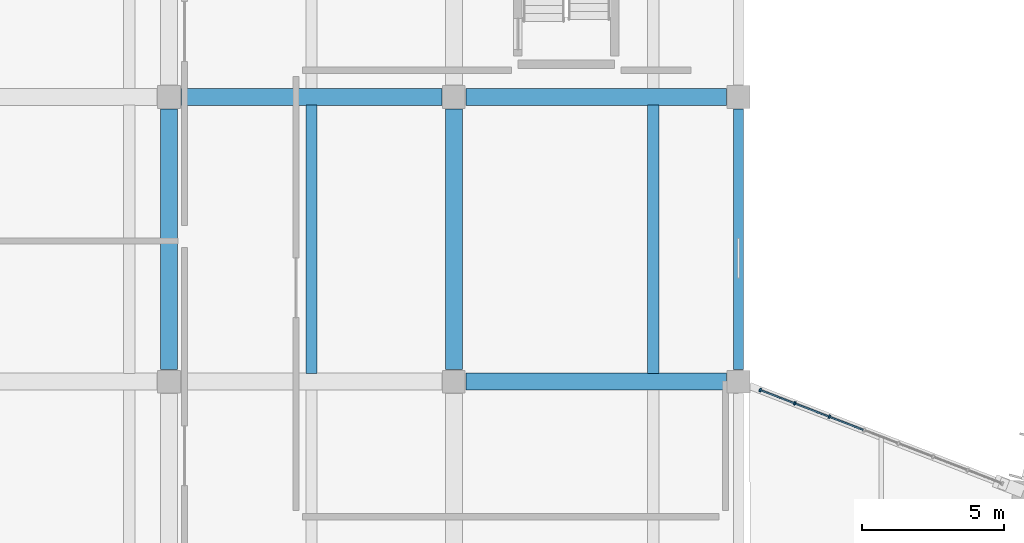
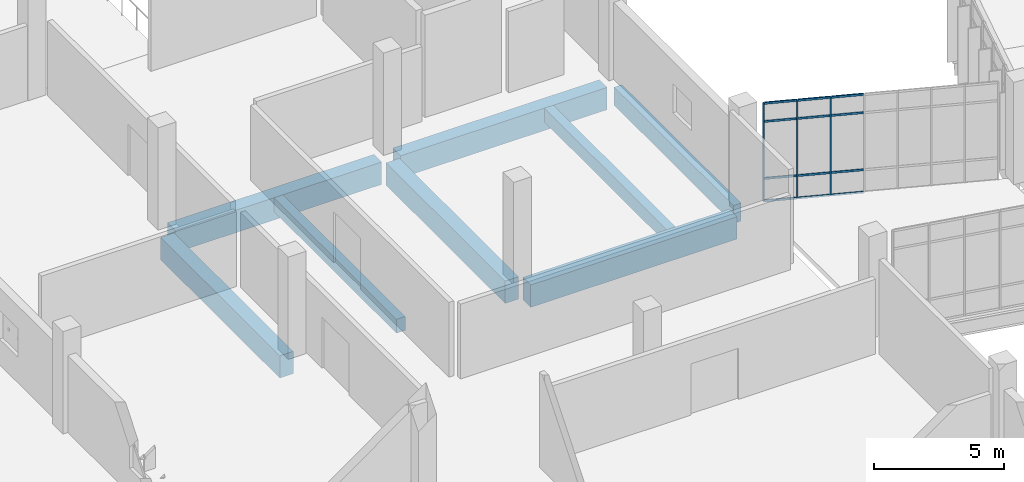
# One storey, part 7 of 179: 15 members, 8 beams, 1 element without a shape of its own.
"""IFC4 building model written with IfcOpenShell, lengths in metres."""

from ifc_helpers import new_model, si_unit, direction, frame, origin, origin_2d, place, context, subcontext, project, spatial, rectangle, extrude, material, layer, layer_set, material_profile, profile_set, type_object, element, aggregate, save


model = new_model("IFC4")

# Units and contexts
model_context = context("Model", 3, precision=1e-05, world=origin(), true_north=direction((0.0, 1.0)))
body_context = subcontext(model_context, "Body", "Model", "MODEL_VIEW")
ifc_project = project(units=[si_unit("LENGTHUNIT", "METRE"), si_unit("AREAUNIT", "SQUARE_METRE"), si_unit("VOLUMEUNIT", "CUBIC_METRE"), si_unit("PLANEANGLEUNIT", "RADIAN"), si_unit("MASSUNIT", "GRAM", prefix="KILO")], contexts=[model_context])

# Site, building, storey
site_placement = place(None, origin())
site = spatial("IfcSite", under=ifc_project, at=site_placement, CompositionType="ELEMENT")
building_placement = place(site_placement, origin())
building = spatial("IfcBuilding", under=site, at=building_placement, Name="Corvandel Quay Wholesale Market", CompositionType="ELEMENT")
storey_placement = place(building_placement, frame((0.0, 0.0, 6.0)))
storey = spatial("IfcBuildingStorey", under=building, at=storey_placement, Name="L01", CompositionType="ELEMENT", Elevation=6.0)

# Curtain wall, members
ifc_material_1 = material(Name="Bronze anodised aluminium and low-E insulated glazing", Category="aluminium")
ifc_layer = layer(ifc_material_1, 0.14990234375)
ifc_layer_set = layer_set([ifc_layer], Name="Bronze anodised aluminium and low-E insulated glazing")
curtain_wall_type = type_object("IfcCurtainWallType", Name="Stick Curtain Wall System CW20 H4800", PredefinedType="NOTDEFINED", material=ifc_layer_set)
curtain_wall_placement = place(storey_placement, origin())
curtain_wall = element("IfcCurtainWall", 1, at=curtain_wall_placement, inside=storey, type_object=curtain_wall_type, Name="Curtain Wall CW-0173", PredefinedType="NOTDEFINED")
ifc_material_2 = material(Name="Anodised aluminium 6063-T6", Category="aluminium")
ifc_material_profile_1 = material_profile(ifc_material_2, rectangle(XDim=0.06005859375, YDim=0.1298828125, at=origin_2d()), Name="ALU-MUL-60x130")
ifc_profile_set_1 = profile_set([ifc_material_profile_1], Name="Anodised aluminium 6063-T6")
member_type_1 = type_object("IfcMemberType", Name="Clerestory Mullion ML03 60x130", PredefinedType="MULLION", material=ifc_profile_set_1)
member_1_placement = place(storey_placement, frame((50.76025390625, 49.706298828125, -0.030029296875), z_axis=(0.0, 0.0, 1.0), x_axis=(-0.932827815397, 0.3603224484, 0.0)))
member_1 = element("IfcMember", 2, at=member_1_placement, type_object=member_type_1, Name="Mullion CW-0173-M00", PredefinedType="MULLION", context=body_context, shape_type="SweptSolid", body=[
    extrude(rectangle(XDim=0.06005859375, YDim=0.1298828125, at=origin_2d()), origin(), (0.0, 0.0, 1.0), 4.580078125),
])
member_2_placement = place(storey_placement, frame((51.974853515625, 49.237060546875, -0.030029296875), z_axis=(0.0, 0.0, 1.0), x_axis=(-0.932827815397, 0.3603224484, 0.0)))
member_2 = element("IfcMember", 3, at=member_2_placement, type_object=member_type_1, Name="Mullion CW-0173-M01", PredefinedType="MULLION", context=body_context, shape_type="SweptSolid", body=[
    extrude(rectangle(XDim=0.06005859375, YDim=0.1298828125, at=origin_2d()), origin(), (0.0, 0.0, 1.0), 4.580078125),
])
member_3_placement = place(storey_placement, frame((53.189697265625, 48.767822265625, -0.030029296875), z_axis=(0.0, 0.0, 1.0), x_axis=(-0.932827815397, 0.3603224484, 0.0)))
member_3 = element("IfcMember", 4, at=member_3_placement, type_object=member_type_1, Name="Mullion CW-0173-M02", PredefinedType="MULLION", context=body_context, shape_type="SweptSolid", body=[
    extrude(rectangle(XDim=0.06005859375, YDim=0.1298828125, at=origin_2d()), origin(), (0.0, 0.0, 1.0), 4.580078125),
])
ifc_material_profile_2 = material_profile(ifc_material_2, rectangle(XDim=0.054931640625, YDim=0.094970703125, at=origin_2d()), Name="ALU-TRN-55x95")
ifc_profile_set_2 = profile_set([ifc_material_profile_2], Name="Anodised aluminium 6063-T6")
member_type_2 = type_object("IfcMemberType", Name="Clerestory Transom TR03 55x95", PredefinedType="USERDEFINED", material=ifc_profile_set_2)
member_4_placement = place(storey_placement, frame((50.7880859375, 49.695556640625, -0.030029296875), z_axis=(0.93280263846, -0.360387621432, 0.0), x_axis=(0.360387621432, 0.93280263846, 0.0)))
member_4 = element("IfcMember", 5, at=member_4_placement, type_object=member_type_2, Name="Transom CW-0173-T00-0", ObjectType="TRANSOM", PredefinedType="USERDEFINED", context=body_context, shape_type="SweptSolid", body=[
    extrude(rectangle(XDim=0.054931640625, YDim=0.094970703125, at=origin_2d()), origin(), (0.0, 0.0, 1.0), 1.242431640625),
])
member_5_placement = place(storey_placement, frame((50.7880859375, 49.695556640625, 1.02001953125), z_axis=(0.93280263846, -0.360387621432, 0.0), x_axis=(0.360387621432, 0.93280263846, 0.0)))
member_5 = element("IfcMember", 6, at=member_5_placement, type_object=member_type_2, Name="Transom CW-0173-T00-1", ObjectType="TRANSOM", PredefinedType="USERDEFINED", context=body_context, shape_type="SweptSolid", body=[
    extrude(rectangle(XDim=0.054931640625, YDim=0.094970703125, at=origin_2d()), origin(), (0.0, 0.0, 1.0), 1.242431640625),
])
member_6_placement = place(storey_placement, frame((50.7880859375, 49.695556640625, 3.699951171875), z_axis=(0.93280263846, -0.360387621432, 0.0), x_axis=(0.360387621432, 0.93280263846, 0.0)))
member_6 = element("IfcMember", 7, at=member_6_placement, type_object=member_type_2, Name="Transom CW-0173-T00-2", ObjectType="TRANSOM", PredefinedType="USERDEFINED", context=body_context, shape_type="SweptSolid", body=[
    extrude(rectangle(XDim=0.054931640625, YDim=0.094970703125, at=origin_2d()), origin(), (0.0, 0.0, 1.0), 1.242431640625),
])
member_7_placement = place(storey_placement, frame((50.7880859375, 49.695556640625, 4.550048828125), z_axis=(0.93280263846, -0.360387621432, 0.0), x_axis=(0.360387621432, 0.93280263846, 0.0)))
member_7 = element("IfcMember", 8, at=member_7_placement, type_object=member_type_2, Name="Transom CW-0173-T00-3", ObjectType="TRANSOM", PredefinedType="USERDEFINED", context=body_context, shape_type="SweptSolid", body=[
    extrude(rectangle(XDim=0.054931640625, YDim=0.094970703125, at=origin_2d()), origin(), (0.0, 0.0, 1.0), 1.242431640625),
])
member_8_placement = place(storey_placement, frame((52.0029296875, 49.226318359375, -0.030029296875), z_axis=(0.932843179843, -0.360282669332, 0.0), x_axis=(0.360282669332, 0.932843179843, 0.0)))
member_8 = element("IfcMember", 9, at=member_8_placement, type_object=member_type_2, Name="Transom CW-0173-T01-0", ObjectType="TRANSOM", PredefinedType="USERDEFINED", context=body_context, shape_type="SweptSolid", body=[
    extrude(rectangle(XDim=0.054931640625, YDim=0.094970703125, at=origin_2d()), origin(), (0.0, 0.0, 1.0), 1.2421875),
])
member_9_placement = place(storey_placement, frame((52.0029296875, 49.226318359375, 1.02001953125), z_axis=(0.932843179843, -0.360282669332, 0.0), x_axis=(0.360282669332, 0.932843179843, 0.0)))
member_9 = element("IfcMember", 10, at=member_9_placement, type_object=member_type_2, Name="Transom CW-0173-T01-1", ObjectType="TRANSOM", PredefinedType="USERDEFINED", context=body_context, shape_type="SweptSolid", body=[
    extrude(rectangle(XDim=0.054931640625, YDim=0.094970703125, at=origin_2d()), origin(), (0.0, 0.0, 1.0), 1.2421875),
])
member_10_placement = place(storey_placement, frame((52.0029296875, 49.226318359375, 3.699951171875), z_axis=(0.932843179843, -0.360282669332, 0.0), x_axis=(0.360282669332, 0.932843179843, 0.0)))
member_10 = element("IfcMember", 11, at=member_10_placement, type_object=member_type_2, Name="Transom CW-0173-T01-2", ObjectType="TRANSOM", PredefinedType="USERDEFINED", context=body_context, shape_type="SweptSolid", body=[
    extrude(rectangle(XDim=0.054931640625, YDim=0.094970703125, at=origin_2d()), origin(), (0.0, 0.0, 1.0), 1.2421875),
])
member_11_placement = place(storey_placement, frame((52.0029296875, 49.226318359375, 4.550048828125), z_axis=(0.932843179843, -0.360282669332, 0.0), x_axis=(0.360282669332, 0.932843179843, 0.0)))
member_11 = element("IfcMember", 12, at=member_11_placement, type_object=member_type_2, Name="Transom CW-0173-T01-3", ObjectType="TRANSOM", PredefinedType="USERDEFINED", context=body_context, shape_type="SweptSolid", body=[
    extrude(rectangle(XDim=0.054931640625, YDim=0.094970703125, at=origin_2d()), origin(), (0.0, 0.0, 1.0), 1.2421875),
])
member_12_placement = place(storey_placement, frame((53.217529296875, 48.757080078125, -0.030029296875), z_axis=(0.932777109703, -0.36045369136, 0.0), x_axis=(0.36045369136, 0.932777109703, 0.0)))
member_12 = element("IfcMember", 13, at=member_12_placement, type_object=member_type_2, Name="Transom CW-0173-T02-0", ObjectType="TRANSOM", PredefinedType="USERDEFINED", context=body_context, shape_type="SweptSolid", body=[
    extrude(rectangle(XDim=0.054931640625, YDim=0.094970703125, at=origin_2d()), origin(), (0.0, 0.0, 1.0), 1.2421875),
])
member_13_placement = place(storey_placement, frame((53.217529296875, 48.757080078125, 1.02001953125), z_axis=(0.932777109703, -0.36045369136, 0.0), x_axis=(0.36045369136, 0.932777109703, 0.0)))
member_13 = element("IfcMember", 14, at=member_13_placement, type_object=member_type_2, Name="Transom CW-0173-T02-1", ObjectType="TRANSOM", PredefinedType="USERDEFINED", context=body_context, shape_type="SweptSolid", body=[
    extrude(rectangle(XDim=0.054931640625, YDim=0.094970703125, at=origin_2d()), origin(), (0.0, 0.0, 1.0), 1.2421875),
])
member_14_placement = place(storey_placement, frame((53.217529296875, 48.757080078125, 3.699951171875), z_axis=(0.932777109703, -0.36045369136, 0.0), x_axis=(0.36045369136, 0.932777109703, 0.0)))
member_14 = element("IfcMember", 15, at=member_14_placement, type_object=member_type_2, Name="Transom CW-0173-T02-2", ObjectType="TRANSOM", PredefinedType="USERDEFINED", context=body_context, shape_type="SweptSolid", body=[
    extrude(rectangle(XDim=0.054931640625, YDim=0.094970703125, at=origin_2d()), origin(), (0.0, 0.0, 1.0), 1.2421875),
])
member_15_placement = place(storey_placement, frame((53.217529296875, 48.757080078125, 4.550048828125), z_axis=(0.932777109703, -0.36045369136, 0.0), x_axis=(0.36045369136, 0.932777109703, 0.0)))
member_15 = element("IfcMember", 16, at=member_15_placement, type_object=member_type_2, Name="Transom CW-0173-T02-3", ObjectType="TRANSOM", PredefinedType="USERDEFINED", context=body_context, shape_type="SweptSolid", body=[
    extrude(rectangle(XDim=0.054931640625, YDim=0.094970703125, at=origin_2d()), origin(), (0.0, 0.0, 1.0), 1.2421875),
])
aggregate(curtain_wall, [member_1, member_2, member_3, member_4, member_5, member_6, member_7, member_8, member_9, member_10, member_11, member_12, member_13, member_14, member_15])

# Beams
ifc_material_3 = material(Name="Precast concrete C45/55", Category="concrete")
ifc_material_profile_3 = material_profile(ifc_material_3, rectangle(XDim=0.60009765625, YDim=1.050048828125, at=origin_2d()), Name="PC-GIR-600x1050")
ifc_profile_set_3 = profile_set([ifc_material_profile_3], Name="Precast concrete C45/55")
beam_type_1 = type_object("IfcBeamType", Name="Cold Store Primary Girder G01 600x1050", PredefinedType="USERDEFINED", material=ifc_profile_set_3)
for number, where, z_axis, x_axis, name in (
    (17, (40.419921875, 50.0, -0.885009765625), (1.0, 0.0, 0.0), (0.0, 1.0, 0.0), "Beam BM-1030"),
    (18, (30.419921875, 60.0, -0.885009765625), (1.0, 0.0, 0.0), (0.0, 1.0, 0.0), "Beam BM-1032"),
    (19, (40.419921875, 60.0, -0.885009765625), (1.0, 0.0, 0.0), (0.0, 1.0, 0.0), "Beam BM-1033"),
    (20, (30.0, 50.419921875, -0.885009765625), (0.0, 1.0, 0.0), (-1.0, 0.0, 0.0), "Beam BM-1075"),
    (21, (40.0, 50.419921875, -0.885009765625), (0.0, 1.0, 0.0), (-1.0, 0.0, 0.0), "Beam BM-1088"),
):
    element("IfcBeam", number, at=place(storey_placement, frame(where, z_axis=z_axis, x_axis=x_axis)), inside=storey, type_object=beam_type_1, Name=name, ObjectType="GIRDER", PredefinedType="USERDEFINED", context=body_context, shape_type="SweptSolid", body=[
        extrude(rectangle(XDim=0.60009765625, YDim=1.050048828125, at=origin_2d()), origin(), (0.0, 0.0, 1.0), 9.16015625),
    ])
ifc_material_profile_4 = material_profile(ifc_material_3, rectangle(XDim=0.39990234375, YDim=0.64990234375, at=origin_2d()), Name="PC-BM-400x650")
ifc_profile_set_4 = profile_set([ifc_material_profile_4], Name="Precast concrete C45/55")
beam_type_2 = type_object("IfcBeamType", Name="Cold Store Secondary Beam B01 400x650", PredefinedType="BEAM", material=ifc_profile_set_4)
for number, where, z_axis, x_axis, name in (
    (22, (35.0, 50.2900390625, -0.68505859375), (0.0, 1.0, 0.0), (-1.0, 0.0, 0.0), "Beam BM-1127"),
    (23, (47.0, 50.2900390625, -0.68505859375), (0.0, 1.0, 0.0), (-1.0, 0.0, 0.0), "Beam BM-1140"),
):
    element("IfcBeam", number, at=place(storey_placement, frame(where, z_axis=z_axis, x_axis=x_axis)), inside=storey, type_object=beam_type_2, Name=name, PredefinedType="BEAM", context=body_context, shape_type="SweptSolid", body=[
        extrude(rectangle(XDim=0.39990234375, YDim=0.64990234375, at=origin_2d()), origin(), (0.0, 0.0, 1.0), 9.419921875),
    ])
ifc_material_profile_5 = material_profile(ifc_material_3, rectangle(XDim=0.35009765625, YDim=0.85009765625, at=origin_2d()), Name="PC-SPN-350x850")
ifc_profile_set_5 = profile_set([ifc_material_profile_5], Name="Precast concrete C45/55")
beam_type_3 = type_object("IfcBeamType", Name="Perimeter Precast Spandrel SP01 350x850", PredefinedType="SPANDREL", material=ifc_profile_set_5)
beam_placement = place(storey_placement, frame((50.0, 50.419921875, -0.784912109375), z_axis=(0.0, 1.0, 0.0), x_axis=(-1.0, 0.0, 0.0)))
element("IfcBeam", 24, at=beam_placement, inside=storey, type_object=beam_type_3, Name="Beam BM-1101", PredefinedType="SPANDREL", context=body_context, shape_type="SweptSolid", body=[
    extrude(rectangle(XDim=0.35009765625, YDim=0.85009765625, at=origin_2d()), origin(), (0.0, 0.0, 1.0), 9.16015625),
])

save(model, "model.ifc")
